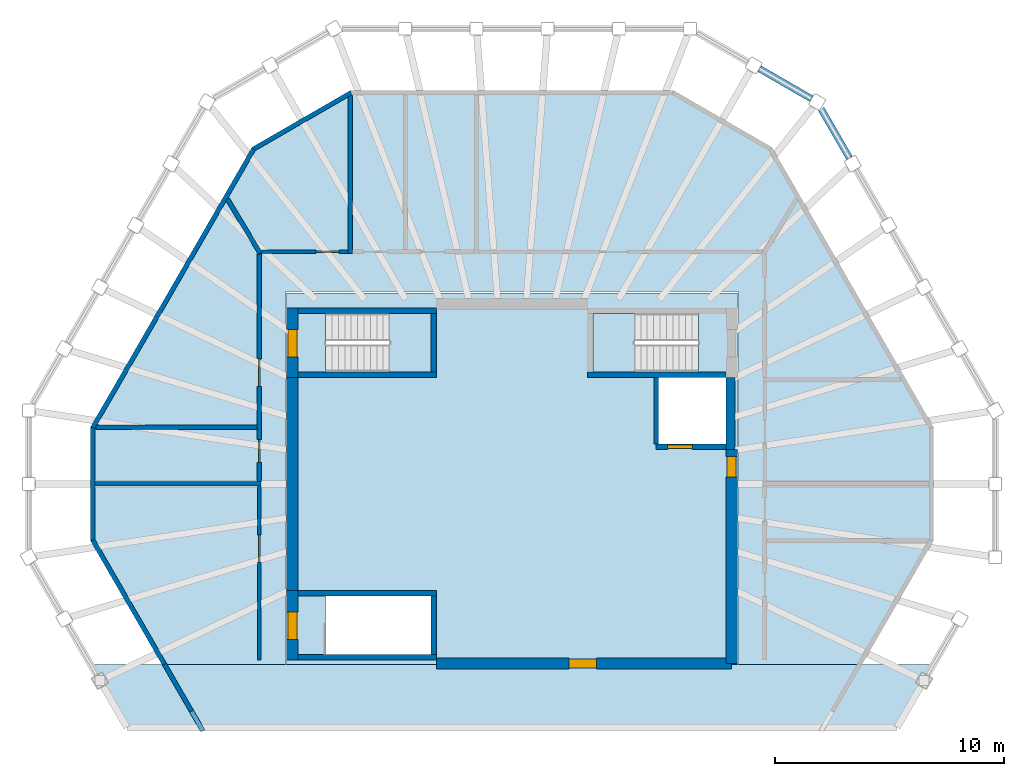
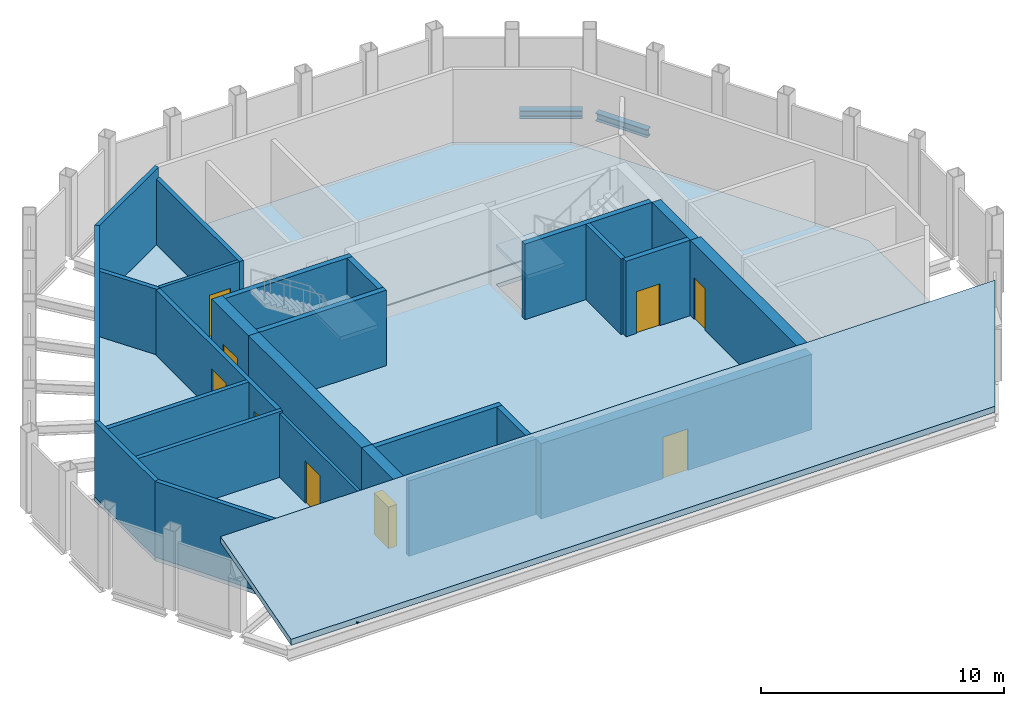
# One storey, part 2 of 4: 27 walls, 9 doors, 5 slabs, 2 beams, 9 openings, 2 elements without a shape of their own.
"""IFC4 building model written with IfcOpenShell, lengths in metres."""

from ifc_helpers import new_model, si_unit, direction, frame, frame_2d, origin, origin_2d, place, context, subcontext, project, spatial, polyline, rectangle, i_section, outline, extrude, material, layer, layer_set, material_profile, profile_set, type_object, element, fill, aggregate, save


model = new_model("IFC4")

# Units and contexts
model_context = context("Model", 3, precision=1e-05, world=origin(), true_north=direction((0.0, 1.0)))
body_context = subcontext(model_context, "Body", "Model", "MODEL_VIEW")
ifc_project = project(units=[si_unit("LENGTHUNIT", "METRE"), si_unit("AREAUNIT", "SQUARE_METRE"), si_unit("VOLUMEUNIT", "CUBIC_METRE"), si_unit("PLANEANGLEUNIT", "RADIAN"), si_unit("MASSUNIT", "GRAM", prefix="KILO")], contexts=[model_context])

# Site, building, storey
site_placement = place(None, origin())
site = spatial("IfcSite", under=ifc_project, at=site_placement, CompositionType="ELEMENT")
building_placement = place(site_placement, origin())
building = spatial("IfcBuilding", under=site, at=building_placement, Name="Frailejon Research Tower", CompositionType="ELEMENT")
storey_placement = place(building_placement, frame((0.0, 0.0, 356.60009765625)))
storey = spatial("IfcBuildingStorey", under=building, at=storey_placement, Name="L80", CompositionType="ELEMENT", Elevation=356.60009765625)

# Beams
ifc_material_1 = material(Name="Steel S355", Category="steel")
ifc_material_profile = material_profile(ifc_material_1, i_section(OverallWidth=0.300048828125, OverallDepth=0.39990234375, WebThickness=0.013427734375, FlangeThickness=0.02392578125, FilletRadius=0.027099609375, at=origin_2d()), Name="HE 400 B")
ifc_profile_set = profile_set([ifc_material_profile], Name="Steel S355")
beam_type = type_object("IfcBeamType", Name="Crown ring beam", PredefinedType="BEAM", material=ifc_profile_set)
beam_1_placement = place(storey_placement, frame((14.747802734375, 14.256103515625, -0.400146484375), z_axis=(-0.500053484023, 0.865994522568, 0.0), x_axis=(-0.865994522568, -0.500053484023, 0.0)))
element("IfcBeam", 1, at=beam_1_placement, inside=storey, type_object=beam_type, Name="Crown ring beam", PredefinedType="BEAM", context=body_context, shape_type="SweptSolid", body=[
    extrude(i_section(OverallWidth=0.300048828125, OverallDepth=0.39990234375, WebThickness=0.013427734375, FlangeThickness=0.02392578125, FilletRadius=0.027099609375, at=origin_2d()), origin(), (0.0, 0.0, 1.0), 2.468505859375),
])
beam_2_placement = place(storey_placement, frame((13.08056640625, 16.843994140625, -0.400146484375), z_axis=(-0.866049872286, 0.499957616916, 0.0), x_axis=(-0.499957616916, -0.866049872286, 0.0)))
element("IfcBeam", 2, at=beam_2_placement, inside=storey, type_object=beam_type, Name="Crown ring beam", PredefinedType="BEAM", context=body_context, shape_type="SweptSolid", body=[
    extrude(i_section(OverallWidth=0.300048828125, OverallDepth=0.39990234375, WebThickness=0.013427734375, FlangeThickness=0.02392578125, FilletRadius=0.027099609375, at=origin_2d()), origin(), (0.0, 0.0, 1.0), 2.606201171875),
])

# Slabs
ifc_material_2 = material(Name="Concrete C50/60", Category="concrete")
ifc_layer_1 = layer(ifc_material_2, 0.199951171875)
ifc_layer_set_1 = layer_set([ifc_layer_1], Name="Core floor slab 200 C50/60")
slab_type_1 = type_object("IfcSlabType", Name="Core floor slab 200 C50/60", PredefinedType="FLOOR", material=ifc_layer_set_1)
slab_1_placement = place(storey_placement, frame((0.0, 0.0, -0.2001953125)))
element("IfcSlab", 3, at=slab_1_placement, inside=storey, type_object=slab_type_1, Name="Core floor slab", PredefinedType="FLOOR", context=body_context, shape_type="SweptSolid", body=[
    extrude(outline(polyline([(-9.85009765625, -8.35009765625), (-9.85009765625, 8.35009765625), (9.85009765625, 8.35009765625), (9.85009765625, -8.35009765625), (-9.85009765625, -8.35009765625)]), holes=[polyline([(9.35009765625, 1.75), (9.35009765625, 4.64990234375), (6.39990234375, 4.64990234375), (6.39990234375, 1.75), (9.35009765625, 1.75)]), polyline([(-8.14697265625, 4.89990234375), (-3.550048828125, 4.89990234375), (-3.550048828125, 7.449951171875), (-8.14697265625, 7.449951171875), (-8.14697265625, 4.89990234375)]), polyline([(-8.14697265625, -7.449951171875), (-3.550048828125, -7.449951171875), (-3.550048828125, -4.89990234375), (-8.14697265625, -4.89990234375), (-8.14697265625, -7.449951171875)]), polyline([(8.14697265625, 7.449951171875), (3.550048828125, 7.449951171875), (3.550048828125, 4.89990234375), (8.14697265625, 4.89990234375), (8.14697265625, 7.449951171875)])]), origin(), (0.0, 0.0, 1.0), 0.2001953125),
])
ifc_material_3 = material(Name="Safety glass roof panel on steel frame", Category="steel")
ifc_layer_2 = layer(ifc_material_3, 0.300048828125)
ifc_layer_set_2 = layer_set([ifc_layer_2], Name="Crown glazed roof facet 300")
slab_type_2 = type_object("IfcSlabType", Name="Crown glazed roof facet 300", PredefinedType="ROOF", material=ifc_layer_set_2)
slab_2_placement = place(storey_placement, frame((-18.42529296875, -7.88671875, 4.0), z_axis=(0.0, -0.809032791818, 0.587763508363), x_axis=(1.0, 0.0, 0.0)))
element("IfcSlab", 4, at=slab_2_placement, inside=storey, type_object=slab_type_2, Name="Crown glazed roof facet 4", PredefinedType="ROOF", context=body_context, shape_type="SweptSolid", body=[
    extrude(outline(polyline([(0.0, 0.0), (36.8505859375, 0.0), (35.172607421875, -4.944175366501661), (1.677978515625, -4.944175366501661), (0.0, 0.0)])), origin(), (0.0, 0.809032791818, 0.587763508363), 0.300048828125),
])
ifc_material_4 = material(Name="Concrete C30/37", Category="concrete")
ifc_layer_3 = layer(ifc_material_4, 0.199951171875)
ifc_layer_set_3 = layer_set([ifc_layer_3], Name="Crown slab 200")
slab_type_3 = type_object("IfcSlabType", Name="Crown slab 200", PredefinedType="FLOOR", material=ifc_layer_set_3)
slab_3_placement = place(storey_placement, frame((0.0, 0.0, -0.2001953125)))
element("IfcSlab", 5, at=slab_3_placement, inside=storey, type_object=slab_type_3, Name="Floor slab L80", PredefinedType="FLOOR", context=body_context, shape_type="SweptSolid", body=[
    extrude(outline(polyline([(-11.36376953125, 14.71728515625), (-18.427490234375, 2.482666015625), (-18.427490234375, -2.482666015625), (-13.92333984375, -10.2841796875), (13.92333984375, -10.2841796875), (18.427490234375, -2.482666015625), (18.427490234375, 2.482666015625), (11.36376953125, 14.71728515625), (7.063720703125, 17.199951171875), (-7.063720703125, 17.199951171875), (-11.36376953125, 14.71728515625)]), holes=[polyline([(9.909912109375, 8.409912109375), (9.909912109375, -8.409912109375), (-9.909912109375, -8.409912109375), (-9.909912109375, 8.409912109375), (9.909912109375, 8.409912109375)])]), origin(), (0.0, 0.0, 1.0), 0.2001953125),
])

# Stair, slab
ifc_material_5 = material(Name="Concrete C50/60", Category="concrete")
stair_type = type_object("IfcStairType", Name="Exit stair 22 risers", PredefinedType="HALF_TURN_STAIR", material=ifc_material_5)
stair_1_placement = place(storey_placement, origin())
stair_1 = element("IfcStair", 6, at=stair_1_placement, inside=storey, type_object=stair_type, Name="L80 Exit stair ST1", PredefinedType="HALF_TURN_STAIR")
ifc_material_6 = material(Name="Concrete C50/60", Category="concrete")
ifc_layer_4 = layer(ifc_material_6, 0.199951171875)
ifc_layer_set_4 = layer_set([ifc_layer_4], Name="Stair landing slab 200")
slab_type_4 = type_object("IfcSlabType", Name="Stair landing slab 200", PredefinedType="LANDING", material=ifc_layer_set_4)
slab_4_placement = place(storey_placement, frame((0.0, 0.0, 1.7998046875)))
slab_4 = element("IfcSlab", 7, at=slab_4_placement, type_object=slab_type_4, Name="ST1 landing 1", PredefinedType="LANDING", context=body_context, shape_type="SweptSolid", body=[
    extrude(outline(polyline([(-5.35009765625, 4.89990234375), (-3.550048828125, 4.89990234375), (-3.550048828125, 7.449951171875), (-5.35009765625, 7.449951171875), (-5.35009765625, 4.89990234375)])), origin(), (0.0, 0.0, 1.0), 0.2001953125),
])
aggregate(stair_1, [slab_4])

stair_2_placement = place(storey_placement, origin())
stair_2 = element("IfcStair", 8, at=stair_2_placement, inside=storey, type_object=stair_type, Name="L80 Exit stair ST3", PredefinedType="HALF_TURN_STAIR")
slab_5_placement = place(storey_placement, frame((0.0, 0.0, 1.7998046875)))
slab_5 = element("IfcSlab", 9, at=slab_5_placement, type_object=slab_type_4, Name="ST3 landing 1", PredefinedType="LANDING", context=body_context, shape_type="SweptSolid", body=[
    extrude(outline(polyline([(5.35009765625, 7.449951171875), (3.550048828125, 7.449951171875), (3.550048828125, 4.89990234375), (5.35009765625, 4.89990234375), (5.35009765625, 7.449951171875)])), origin(), (0.0, 0.0, 1.0), 0.2001953125),
])
aggregate(stair_2, [slab_5])

# Wall
ifc_material_7 = material(Name="Concrete C50/60", Category="concrete")
ifc_layer_5 = layer(ifc_material_7, 0.39990234375)
ifc_layer_set_5 = layer_set([ifc_layer_5], Name="Core shear wall 400 C50/60")
wall_type_1 = type_object("IfcWallType", Name="Core shear wall 400 C50/60", PredefinedType="SHEAR", material=ifc_layer_set_5)
wall_1_placement = place(storey_placement, frame((9.550048828125, 1.5, 0.0), z_axis=(0.0, 0.0, 1.0), x_axis=(0.0, 1.0, 0.0)))
element("IfcWall", 10, at=wall_1_placement, inside=storey, type_object=wall_type_1, Name="Core shear wall", PredefinedType="SHEAR", context=body_context, shape_type="SweptSolid", body=[
    extrude(rectangle(XDim=3.14990234375, YDim=0.39990234375, at=frame_2d((1.574951171875, 0.0))), origin(), (0.0, 0.0, 1.0), 3.7998046875),
])

# Wall, opening, door
ifc_material_8 = material(Name="Concrete C50/60", Category="concrete")
ifc_layer_6 = layer(ifc_material_8, 0.5)
ifc_layer_set_6 = layer_set([ifc_layer_6], Name="Core shear wall 500 C50/60")
wall_type_2 = type_object("IfcWallType", Name="Core shear wall 500 C50/60", PredefinedType="SHEAR", material=ifc_layer_set_6)
wall_2_placement = place(storey_placement, frame((9.60009765625, -7.85009765625, 0.0), z_axis=(0.0, 0.0, 1.0), x_axis=(0.0, 1.0, 0.0)))
wall_2 = element("IfcWall", 11, at=wall_2_placement, inside=storey, type_object=wall_type_2, Name="Core shear wall", PredefinedType="SHEAR", context=body_context, shape_type="SweptSolid", body=[
    extrude(rectangle(XDim=9.35009765625, YDim=0.5, at=frame_2d((4.675048828125, 0.0))), origin(), (0.0, 0.0, 1.0), 3.7998046875),
])
opening_1_placement = place(wall_2_placement, frame((8.14990234375, 0.0, 0.0)))
opening_1 = element("IfcOpeningElement", 12, at=opening_1_placement, cuts=wall_2, Name="Opening D8", PredefinedType="OPENING", context=body_context, shape_type="SweptSolid", body=[
    extrude(rectangle(XDim=0.89990234375, YDim=2.10009765625, at=frame_2d((0.449951171875, 1.050048828125))), frame((0.0, 0.260009765625, 0.0), z_axis=(0.0, -1.0, 0.0), x_axis=(1.0, 0.0, 0.0)), (0.0, 0.0, 1.0), 0.52001953125),
])
ifc_material_9 = material(Name="Steel", Category="steel")
door_type_1 = type_object("IfcDoorType", Name="Core room door", OperationType="SINGLE_SWING_LEFT", PredefinedType="DOOR", material=ifc_material_9)
door_1_placement = place(opening_1_placement, origin())
door_1 = element("IfcDoor", 13, at=door_1_placement, inside=storey, type_object=door_type_1, Name="Lift lobby door", OperationType="SINGLE_SWING_RIGHT", OverallHeight=2.10009765625, OverallWidth=0.89990234375, PredefinedType="DOOR", context=body_context, shape_type="SweptSolid", body=[
    extrude(rectangle(XDim=0.89990234375, YDim=2.10009765625, at=frame_2d((0.449951171875, 1.050048828125))), frame((0.0, 0.199951171875, 0.0), z_axis=(0.0, -1.0, 0.0), x_axis=(1.0, 0.0, 0.0)), (0.0, 0.0, 1.0), 0.39990234375),
])
fill(opening_1, door_1)

# Wall
wall_3_placement = place(storey_placement, frame((-9.60009765625, 4.64990234375, 0.0), z_axis=(0.0, 0.0, 1.0), x_axis=(0.0, -1.0, 0.0)))
element("IfcWall", 14, at=wall_3_placement, inside=storey, type_object=wall_type_2, Name="Core shear wall", PredefinedType="SHEAR", context=body_context, shape_type="SweptSolid", body=[
    extrude(rectangle(XDim=9.2998046875, YDim=0.5, at=frame_2d((4.64990234375, 0.0))), origin(), (0.0, 0.0, 1.0), 3.7998046875),
])

# Wall, opening, door
wall_4_placement = place(storey_placement, frame((-3.300048828125, -7.85009765625, 0.0), z_axis=(0.0, 0.0, 1.0), x_axis=(1.0, 0.0, 0.0)))
wall_4 = element("IfcWall", 15, at=wall_4_placement, inside=storey, type_object=wall_type_2, Name="Core shear wall", PredefinedType="SHEAR", context=body_context, shape_type="SweptSolid", body=[
    extrude(rectangle(XDim=12.900146484375, YDim=0.5, at=frame_2d((6.4501953125, 0.0))), origin(), (0.0, 0.0, 1.0), 3.7998046875),
])
opening_2_placement = place(wall_4_placement, frame((5.800048828125, 0.0, 0.0)))
opening_2 = element("IfcOpeningElement", 16, at=opening_2_placement, cuts=wall_4, Name="Opening D6", PredefinedType="OPENING", context=body_context, shape_type="SweptSolid", body=[
    extrude(rectangle(XDim=1.199951171875, YDim=2.10009765625, at=frame_2d((0.60009765625, 1.050048828125))), frame((0.0, 0.260009765625, 0.0), z_axis=(0.0, -1.0, 0.0), x_axis=(1.0, 0.0, 0.0)), (0.0, 0.0, 1.0), 0.52001953125),
])
ifc_material_10 = material(Name="Steel", Category="steel")
door_type_2 = type_object("IfcDoorType", Name="Plant door", OperationType="SINGLE_SWING_LEFT", PredefinedType="DOOR", material=ifc_material_10)
door_2_placement = place(opening_2_placement, origin())
door_2 = element("IfcDoor", 17, at=door_2_placement, inside=storey, type_object=door_type_2, Name="Room door", OperationType="SINGLE_SWING_LEFT", OverallHeight=2.10009765625, OverallWidth=1.199951171875, PredefinedType="DOOR", context=body_context, shape_type="SweptSolid", body=[
    extrude(rectangle(XDim=1.199951171875, YDim=2.10009765625, at=frame_2d((0.60009765625, 1.050048828125))), frame((0.0, 0.199951171875, 0.0), z_axis=(0.0, -1.0, 0.0), x_axis=(1.0, 0.0, 0.0)), (0.0, 0.0, 1.0), 0.39990234375),
])
fill(opening_2, door_2)

wall_5_placement = place(storey_placement, frame((-9.60009765625, 4.64990234375, 0.0), z_axis=(0.0, 0.0, 1.0), x_axis=(0.0, 1.0, 0.0)))
wall_5 = element("IfcWall", 18, at=wall_5_placement, inside=storey, type_object=wall_type_2, Name="Core shear wall", PredefinedType="SHEAR", context=body_context, shape_type="SweptSolid", body=[
    extrude(rectangle(XDim=3.050048828125, YDim=0.5, at=frame_2d((1.52490234375, 0.0))), origin(), (0.0, 0.0, 1.0), 3.7998046875),
])
opening_3_placement = place(wall_5_placement, frame((0.89990234375, 0.0, 0.0)))
opening_3 = element("IfcOpeningElement", 19, at=opening_3_placement, cuts=wall_5, Name="Opening D7", PredefinedType="OPENING", context=body_context, shape_type="SweptSolid", body=[
    extrude(rectangle(XDim=1.199951171875, YDim=2.10009765625, at=frame_2d((0.60009765625, 1.050048828125))), frame((0.0, 0.260009765625, 0.0), z_axis=(0.0, -1.0, 0.0), x_axis=(1.0, 0.0, 0.0)), (0.0, 0.0, 1.0), 0.52001953125),
])
ifc_material_11 = material(Name="Steel", Category="steel")
door_type_3 = type_object("IfcDoorType", Name="Stair exit door", OperationType="SINGLE_SWING_LEFT", PredefinedType="DOOR", material=ifc_material_11)
door_3_placement = place(opening_3_placement, origin())
door_3 = element("IfcDoor", 20, at=door_3_placement, inside=storey, type_object=door_type_3, Name="Stair door ST1", OperationType="SINGLE_SWING_RIGHT", OverallHeight=2.10009765625, OverallWidth=1.199951171875, PredefinedType="DOOR", context=body_context, shape_type="SweptSolid", body=[
    extrude(rectangle(XDim=1.199951171875, YDim=2.10009765625, at=frame_2d((0.60009765625, 1.050048828125))), frame((0.0, 0.199951171875, 0.0), z_axis=(0.0, -1.0, 0.0), x_axis=(1.0, 0.0, 0.0)), (0.0, 0.0, 1.0), 0.39990234375),
])
fill(opening_3, door_3)

wall_6_placement = place(storey_placement, frame((-9.60009765625, -7.699951171875, 0.0), z_axis=(0.0, 0.0, 1.0), x_axis=(0.0, 1.0, 0.0)))
wall_6 = element("IfcWall", 21, at=wall_6_placement, inside=storey, type_object=wall_type_2, Name="Core shear wall", PredefinedType="SHEAR", context=body_context, shape_type="SweptSolid", body=[
    extrude(rectangle(XDim=3.050048828125, YDim=0.5, at=frame_2d((1.52490234375, 0.0))), origin(), (0.0, 0.0, 1.0), 3.7998046875),
])
opening_4_placement = place(wall_6_placement, frame((0.89990234375, 0.0, 0.0)))
opening_4 = element("IfcOpeningElement", 22, at=opening_4_placement, cuts=wall_6, Name="Opening D7", PredefinedType="OPENING", context=body_context, shape_type="SweptSolid", body=[
    extrude(rectangle(XDim=1.199951171875, YDim=2.10009765625, at=frame_2d((0.60009765625, 1.050048828125))), frame((0.0, 0.260009765625, 0.0), z_axis=(0.0, -1.0, 0.0), x_axis=(1.0, 0.0, 0.0)), (0.0, 0.0, 1.0), 0.52001953125),
])
door_4_placement = place(opening_4_placement, origin())
door_4 = element("IfcDoor", 23, at=door_4_placement, inside=storey, type_object=door_type_3, Name="Stair door ST2", OperationType="SINGLE_SWING_LEFT", OverallHeight=2.10009765625, OverallWidth=1.199951171875, PredefinedType="DOOR", context=body_context, shape_type="SweptSolid", body=[
    extrude(rectangle(XDim=1.199951171875, YDim=2.10009765625, at=frame_2d((0.60009765625, 1.050048828125))), frame((0.0, 0.199951171875, 0.0), z_axis=(0.0, -1.0, 0.0), x_axis=(1.0, 0.0, 0.0)), (0.0, 0.0, 1.0), 0.39990234375),
])
fill(opening_4, door_4)

ifc_material_12 = material(Name="Gypsum board and masonry partition", Category="masonry")
ifc_layer_7 = layer(ifc_material_12, 0.14990234375)
ifc_layer_set_7 = layer_set([ifc_layer_7], Name="Corridor wall EI 60, gypsum on steel studs 150")
wall_type_3 = type_object("IfcWallType", Name="Corridor wall EI 60, gypsum on steel studs 150", PredefinedType="PARTITIONING", material=ifc_layer_set_7)
wall_7_placement = place(storey_placement, frame((-10.949951171875, 10.14990234375, 0.0), z_axis=(0.0, 0.0, 1.0), x_axis=(1.0, 0.0, 0.0)))
wall_7 = element("IfcWall", 24, at=wall_7_placement, inside=storey, type_object=wall_type_3, Name="T:IW:L80:002", PredefinedType="PARTITIONING", context=body_context, shape_type="SweptSolid", body=[
    extrude(rectangle(XDim=3.7861328125, YDim=0.14990234375, at=frame_2d((1.89306640625, 0.0))), origin(), (0.0, 0.0, 1.0), 3.2998046875),
])
opening_5_placement = place(wall_7_placement, frame((2.378662109375, 0.0, 0.0)))
opening_5 = element("IfcOpeningElement", 25, at=opening_5_placement, cuts=wall_7, Name="Opening D1197", PredefinedType="OPENING", context=body_context, shape_type="SweptSolid", body=[
    extrude(rectangle(XDim=1.0, YDim=2.10009765625, at=frame_2d((0.5, 1.050048828125))), frame((0.0, 0.0849609375, 0.0), z_axis=(0.0, -1.0, 0.0), x_axis=(1.0, 0.0, 0.0)), (0.0, 0.0, 1.0), 0.169921875),
])
ifc_material_13 = material(Name="Timber door leaf", Category="wood")
door_type_4 = type_object("IfcDoorType", Name="Door single leaf, timber, steel frame 1000", OperationType="NOTDEFINED", PredefinedType="DOOR", material=ifc_material_13)
door_5_placement = place(opening_5_placement, origin())
door_5 = element("IfcDoor", 26, at=door_5_placement, inside=storey, type_object=door_type_4, Name="D1197", OperationType="SINGLE_SWING_RIGHT", OverallHeight=2.10009765625, OverallWidth=1.0, PredefinedType="DOOR", context=body_context, shape_type="SweptSolid", body=[
    extrude(rectangle(XDim=1.0, YDim=2.10009765625, at=frame_2d((0.5, 1.050048828125))), frame((0.0, 0.02490234375, 0.0), z_axis=(0.0, -1.0, 0.0), x_axis=(1.0, 0.0, 0.0)), (0.0, 0.0, 1.0), 0.050048828125),
])
fill(opening_5, door_5)

wall_8_placement = place(storey_placement, frame((-11.050048828125, -7.6865234375, 0.0), z_axis=(0.0, 0.0, 1.0), x_axis=(0.0, 1.0, 0.0)))
wall_8 = element("IfcWall", 27, at=wall_8_placement, inside=storey, type_object=wall_type_3, Name="T:IW:L80:004", PredefinedType="PARTITIONING", context=body_context, shape_type="SweptSolid", body=[
    extrude(rectangle(XDim=7.58642578125, YDim=0.14990234375, at=frame_2d((3.793212890625, 0.0))), origin(), (0.0, 0.0, 1.0), 3.199951171875),
])
opening_6_placement = place(wall_8_placement, frame((4.263671875, 0.0, 0.0)))
opening_6 = element("IfcOpeningElement", 28, at=opening_6_placement, cuts=wall_8, Name="Opening D1200", PredefinedType="OPENING", context=body_context, shape_type="SweptSolid", body=[
    extrude(rectangle(XDim=1.199951171875, YDim=2.10009765625, at=frame_2d((0.60009765625, 1.050048828125))), frame((0.0, 0.0849609375, 0.0), z_axis=(0.0, -1.0, 0.0), x_axis=(1.0, 0.0, 0.0)), (0.0, 0.0, 1.0), 0.169921875),
])
ifc_material_14 = material(Name="Timber door leaf", Category="wood")
door_type_5 = type_object("IfcDoorType", Name="Door single leaf, timber, steel frame 1200", OperationType="NOTDEFINED", PredefinedType="DOOR", material=ifc_material_14)
door_6_placement = place(opening_6_placement, origin())
door_6 = element("IfcDoor", 29, at=door_6_placement, inside=storey, type_object=door_type_5, Name="D1200", OperationType="DOUBLE_DOOR_SINGLE_SWING", OverallHeight=2.10009765625, OverallWidth=1.199951171875, PredefinedType="DOOR", context=body_context, shape_type="SweptSolid", body=[
    extrude(rectangle(XDim=1.199951171875, YDim=2.10009765625, at=frame_2d((0.60009765625, 1.050048828125))), frame((0.0, 0.02490234375, 0.0), z_axis=(0.0, -1.0, 0.0), x_axis=(1.0, 0.0, 0.0)), (0.0, 0.0, 1.0), 0.050048828125),
])
fill(opening_6, door_6)

# Walls
ifc_material_15 = material(Name="Aluminium louvre cladding panel", Category="aluminium")
ifc_layer_8 = layer(ifc_material_15, 0.199951171875)
ifc_layer_set_8 = layer_set([ifc_layer_8], Name="Crown louvred wall 200")
wall_type_4 = type_object("IfcWallType", Name="Crown louvred wall 200", PredefinedType="SOLIDWALL", material=ifc_layer_set_8)
wall_9_placement = place(storey_placement, frame((-7.037109375, 17.10009765625, 0.0), z_axis=(0.0, 0.0, 1.0), x_axis=(-0.86601671623, -0.500015046984, 0.0)))
element("IfcWall", 30, at=wall_9_placement, inside=storey, type_object=wall_type_4, Name="Crown louvred wall L80", PredefinedType="SOLIDWALL", context=body_context, shape_type="SweptSolid", body=[
    extrude(outline(polyline([(-0.02685546875, -0.10009765625), (4.938232421875, -0.10009765625), (4.884521484375, 0.10009765625), (0.02685546875, 0.10009765625), (-0.02685546875, -0.10009765625)])), origin(), (0.0, 0.0, 1.0), 3.7998046875),
])
wall_10_placement = place(storey_placement, frame((-11.29052734375, 14.644287109375, 0.0), z_axis=(0.0, 0.0, 1.0), x_axis=(-0.499991740577, -0.866030172312, 0.0)))
element("IfcWall", 31, at=wall_10_placement, inside=storey, type_object=wall_type_4, Name="Crown louvred wall L80", PredefinedType="SOLIDWALL", context=body_context, shape_type="SweptSolid", body=[
    extrude(outline(polyline([(-0.02685546875, -0.10009765625), (14.100830078125, -0.10009765625), (14.047119140625, 0.10009765625), (0.02685546875, 0.10009765625), (-0.02685546875, -0.10009765625)])), origin(), (0.0, 0.0, 1.0), 3.7998046875),
])
wall_11_placement = place(storey_placement, frame((-18.327392578125, 2.455810546875, 0.0), z_axis=(0.0, 0.0, 1.0), x_axis=(0.0, -1.0, 0.0)))
element("IfcWall", 32, at=wall_11_placement, inside=storey, type_object=wall_type_4, Name="Crown louvred wall L80", PredefinedType="SOLIDWALL", context=body_context, shape_type="SweptSolid", body=[
    extrude(outline(polyline([(-0.02685546875, -0.10009765625), (4.9384765625, -0.10009765625), (4.884765625, 0.10009765625), (0.02685546875, 0.10009765625), (-0.02685546875, -0.10009765625)])), origin(), (0.0, 0.0, 1.0), 3.7998046875),
])
wall_12_placement = place(storey_placement, frame((-18.327392578125, -2.455810546875, 0.0), z_axis=(0.0, 0.0, 1.0), x_axis=(0.499995423472, -0.866028046028, 0.0)))
element("IfcWall", 33, at=wall_12_placement, inside=storey, type_object=wall_type_4, Name="Crown louvred wall L80", PredefinedType="SOLIDWALL", context=body_context, shape_type="SweptSolid", body=[
    extrude(outline(polyline([(-0.02685546875, -0.10009765625), (6.27099609375, -0.10009765625), (6.27099609375, 0.10009765625), (0.02685546875, 0.10009765625), (-0.02685546875, -0.10009765625)])), origin(), (0.0, 0.0, 1.0), 3.7998046875),
])
wall_13_placement = place(storey_placement, frame((-15.19189453125, -7.88671875, 0.0), z_axis=(0.0, 0.0, 1.0), x_axis=(0.499989072476, -0.866031712701, 0.0)))
element("IfcWall", 34, at=wall_13_placement, inside=storey, type_object=wall_type_4, Name="Crown louvred wall L80", PredefinedType="SOLIDWALL", context=body_context, shape_type="SweptSolid", body=[
    extrude(outline(polyline([(0.0, 0.0), (3.35546875, 0.0), (3.355712890625, 0.02978515625), (0.0, 4.0), (0.0, 0.0)])), frame((0.0, 0.10009765625, 0.0), z_axis=(0.0, -1.0, 0.0), x_axis=(1.0, 0.0, 0.0)), (0.0, 0.0, 1.0), 0.199951171875),
])

# Wall, openings, doors
ifc_material_16 = material(Name="Gypsum board and masonry partition", Category="masonry")
ifc_layer_9 = layer(ifc_material_16, 0.199951171875)
ifc_layer_set_9 = layer_set([ifc_layer_9], Name="Plant enclosure wall, blockwork 200")
wall_type_5 = type_object("IfcWallType", Name="Plant enclosure wall, blockwork 200", PredefinedType="PARTITIONING", material=ifc_layer_set_9)
wall_14_placement = place(storey_placement, frame((-11.050048828125, 0.10009765625, 0.0), z_axis=(0.0, 0.0, 1.0), x_axis=(0.0, 1.0, 0.0)))
wall_14 = element("IfcWall", 35, at=wall_14_placement, inside=storey, type_object=wall_type_5, Name="T:IW:L80:008", PredefinedType="PARTITIONING", context=body_context, shape_type="SweptSolid", body=[
    extrude(rectangle(XDim=9.949951171875, YDim=0.199951171875, at=frame_2d((4.97509765625, 0.0))), origin(), (0.0, 0.0, 1.0), 3.2998046875),
])
opening_7_placement = place(wall_14_placement, frame((4.1669921875, 0.0, 0.0)))
opening_7 = element("IfcOpeningElement", 36, at=opening_7_placement, cuts=wall_14, Name="Opening D1198", PredefinedType="OPENING", context=body_context, shape_type="SweptSolid", body=[
    extrude(rectangle(XDim=1.199951171875, YDim=2.10009765625, at=frame_2d((0.60009765625, 1.050048828125))), frame((0.0, 0.10986328125, 0.0), z_axis=(0.0, -1.0, 0.0), x_axis=(1.0, 0.0, 0.0)), (0.0, 0.0, 1.0), 0.219970703125),
])
opening_8_placement = place(wall_14_placement, frame((0.8369140625, 0.0, 0.0)))
opening_8 = element("IfcOpeningElement", 37, at=opening_8_placement, cuts=wall_14, Name="Opening D1199", PredefinedType="OPENING", context=body_context, shape_type="SweptSolid", body=[
    extrude(rectangle(XDim=1.0, YDim=2.10009765625, at=frame_2d((0.5, 1.050048828125))), frame((0.0, 0.10986328125, 0.0), z_axis=(0.0, -1.0, 0.0), x_axis=(1.0, 0.0, 0.0)), (0.0, 0.0, 1.0), 0.219970703125),
])
ifc_material_17 = material(Name="Steel door leaf", Category="steel")
door_type_6 = type_object("IfcDoorType", Name="Door plant room, steel 1000", OperationType="NOTDEFINED", PredefinedType="DOOR", material=ifc_material_17)
door_7_placement = place(opening_8_placement, origin())
door_7 = element("IfcDoor", 38, at=door_7_placement, inside=storey, type_object=door_type_6, Name="D1199", OperationType="SINGLE_SWING_LEFT", OverallHeight=2.10009765625, OverallWidth=1.0, PredefinedType="DOOR", context=body_context, shape_type="SweptSolid", body=[
    extrude(rectangle(XDim=1.0, YDim=2.10009765625, at=frame_2d((0.5, 1.050048828125))), frame((0.0, 0.02490234375, 0.0), z_axis=(0.0, -1.0, 0.0), x_axis=(1.0, 0.0, 0.0)), (0.0, 0.0, 1.0), 0.050048828125),
])
fill(opening_8, door_7)
ifc_material_18 = material(Name="Steel door leaf", Category="steel")
door_type_7 = type_object("IfcDoorType", Name="Door plant room, steel 1200", OperationType="NOTDEFINED", PredefinedType="DOOR", material=ifc_material_18)
door_8_placement = place(opening_7_placement, origin())
door_8 = element("IfcDoor", 39, at=door_8_placement, inside=storey, type_object=door_type_7, Name="D1198", OperationType="DOUBLE_DOOR_SINGLE_SWING", OverallHeight=2.10009765625, OverallWidth=1.199951171875, PredefinedType="DOOR", context=body_context, shape_type="SweptSolid", body=[
    extrude(rectangle(XDim=1.199951171875, YDim=2.10009765625, at=frame_2d((0.60009765625, 1.050048828125))), frame((0.0, 0.02490234375, 0.0), z_axis=(0.0, -1.0, 0.0), x_axis=(1.0, 0.0, 0.0)), (0.0, 0.0, 1.0), 0.050048828125),
])
fill(opening_7, door_8)

# Walls
wall_15_placement = place(storey_placement, frame((-18.2275390625, 0.0, 0.0), z_axis=(0.0, 0.0, 1.0), x_axis=(1.0, 0.0, 0.0)))
element("IfcWall", 40, at=wall_15_placement, inside=storey, type_object=wall_type_5, Name="T:IW:L80:010", PredefinedType="PARTITIONING", context=body_context, shape_type="SweptSolid", body=[
    extrude(rectangle(XDim=7.25244140625, YDim=0.199951171875, at=frame_2d((3.626220703125, 0.0))), origin(), (0.0, 0.0, 1.0), 3.2998046875),
])
wall_16_placement = place(storey_placement, frame((-7.063720703125, 10.074951171875, 0.0), z_axis=(0.0, 0.0, 1.0), x_axis=(0.0, 1.0, 0.0)))
element("IfcWall", 41, at=wall_16_placement, inside=storey, type_object=wall_type_5, Name="T:IW:L80:015", PredefinedType="PARTITIONING", context=body_context, shape_type="SweptSolid", body=[
    extrude(rectangle(XDim=6.89404296875, YDim=0.199951171875, at=frame_2d((3.447021484375, 0.0))), origin(), (0.0, 0.0, 1.0), 3.2998046875),
])
wall_17_placement = place(storey_placement, frame((-12.44140625, 12.450927734375, 0.0), z_axis=(0.0, 0.0, 1.0), x_axis=(0.517428364129, -0.855726526406, 0.0)))
element("IfcWall", 42, at=wall_17_placement, inside=storey, type_object=wall_type_5, Name="T:IW:L80:016", PredefinedType="PARTITIONING", context=body_context, shape_type="SweptSolid", body=[
    extrude(rectangle(XDim=2.763916015625, YDim=0.199951171875, at=frame_2d((1.3818359375, 0.0))), origin(), (0.0, 0.0, 1.0), 3.2998046875),
])
wall_18_placement = place(storey_placement, frame((-18.196533203125, 2.482666015625, 0.0), z_axis=(0.0, 0.0, 1.0), x_axis=(1.0, 0.0, 0.0)))
element("IfcWall", 43, at=wall_18_placement, inside=storey, type_object=wall_type_5, Name="T:IW:L80:017", PredefinedType="PARTITIONING", context=body_context, shape_type="SweptSolid", body=[
    extrude(rectangle(XDim=7.046630859375, YDim=0.199951171875, at=frame_2d((3.5234375, 0.0))), origin(), (0.0, 0.0, 1.0), 3.2998046875),
])
ifc_material_19 = material(Name="Concrete C50/60", Category="concrete")
ifc_layer_10 = layer(ifc_material_19, 0.199951171875)
ifc_layer_set_10 = layer_set([ifc_layer_10], Name="Shaft wall 200 C50/60")
wall_type_6 = type_object("IfcWallType", Name="Shaft wall 200 C50/60", PredefinedType="SOLIDWALL", material=ifc_layer_set_10)
wall_19_placement = place(storey_placement, frame((6.300048828125, 1.75, 0.0), z_axis=(0.0, 0.0, 1.0), x_axis=(0.0, 1.0, 0.0)))
element("IfcWall", 44, at=wall_19_placement, inside=storey, type_object=wall_type_6, Name="Shaft wall", PredefinedType="SOLIDWALL", context=body_context, shape_type="SweptSolid", body=[
    extrude(rectangle(XDim=2.89990234375, YDim=0.199951171875, at=frame_2d((1.449951171875, 0.0))), origin(), (0.0, 0.0, 1.0), 3.7998046875),
])
ifc_material_20 = material(Name="Concrete C50/60", Category="concrete")
ifc_layer_11 = layer(ifc_material_20, 0.25)
ifc_layer_set_11 = layer_set([ifc_layer_11], Name="Shaft wall 250 C50/60")
wall_type_7 = type_object("IfcWallType", Name="Shaft wall 250 C50/60", PredefinedType="SOLIDWALL", material=ifc_layer_set_11)
wall_20_placement = place(storey_placement, frame((-3.425048828125, 4.89990234375, 0.0), z_axis=(0.0, 0.0, 1.0), x_axis=(0.0, 1.0, 0.0)))
element("IfcWall", 45, at=wall_20_placement, inside=storey, type_object=wall_type_7, Name="Shaft wall", PredefinedType="SOLIDWALL", context=body_context, shape_type="SweptSolid", body=[
    extrude(rectangle(XDim=2.550048828125, YDim=0.25, at=frame_2d((1.27490234375, 0.0))), origin(), (0.0, 0.0, 1.0), 3.7998046875),
])
for number, where, z_axis, x_axis, name in (
    (46, (-9.35009765625, 4.77490234375, 0.0), (0.0, 0.0, 1.0), (1.0, 0.0, 0.0), "Shaft wall"),
    (47, (-9.35009765625, 7.574951171875, 0.0), (0.0, 0.0, 1.0), (1.0, 0.0, 0.0), "Shaft wall"),
):
    element("IfcWall", number, at=place(storey_placement, frame(where, z_axis=z_axis, x_axis=x_axis)), inside=storey, type_object=wall_type_7, Name=name, PredefinedType="SOLIDWALL", context=body_context, shape_type="SweptSolid", body=[
        extrude(rectangle(XDim=6.050048828125, YDim=0.25, at=frame_2d((3.02490234375, 0.0))), origin(), (0.0, 0.0, 1.0), 3.7998046875),
    ])
wall_21_placement = place(storey_placement, frame((-3.425048828125, -7.449951171875, 0.0), z_axis=(0.0, 0.0, 1.0), x_axis=(0.0, 1.0, 0.0)))
element("IfcWall", 48, at=wall_21_placement, inside=storey, type_object=wall_type_7, Name="Shaft wall", PredefinedType="SOLIDWALL", context=body_context, shape_type="SweptSolid", body=[
    extrude(rectangle(XDim=2.550048828125, YDim=0.25, at=frame_2d((1.27490234375, 0.0))), origin(), (0.0, 0.0, 1.0), 3.7998046875),
])
for number, where, z_axis, x_axis, name in (
    (49, (-9.35009765625, -7.574951171875, 0.0), (0.0, 0.0, 1.0), (1.0, 0.0, 0.0), "Shaft wall"),
    (50, (-9.35009765625, -4.77490234375, 0.0), (0.0, 0.0, 1.0), (1.0, 0.0, 0.0), "Shaft wall"),
    (51, (3.300048828125, 4.77490234375, 0.0), (0.0, 0.0, 1.0), (1.0, 0.0, 0.0), "Shaft wall"),
):
    element("IfcWall", number, at=place(storey_placement, frame(where, z_axis=z_axis, x_axis=x_axis)), inside=storey, type_object=wall_type_7, Name=name, PredefinedType="SOLIDWALL", context=body_context, shape_type="SweptSolid", body=[
        extrude(rectangle(XDim=6.050048828125, YDim=0.25, at=frame_2d((3.02490234375, 0.0))), origin(), (0.0, 0.0, 1.0), 3.7998046875),
    ])

# Wall, opening, door
wall_22_placement = place(storey_placement, frame((6.300048828125, 1.625, 0.0), z_axis=(0.0, 0.0, 1.0), x_axis=(1.0, 0.0, 0.0)))
wall_22 = element("IfcWall", 52, at=wall_22_placement, inside=storey, type_object=wall_type_7, Name="Shaft wall", PredefinedType="SOLIDWALL", context=body_context, shape_type="SweptSolid", body=[
    extrude(rectangle(XDim=3.050048828125, YDim=0.25, at=frame_2d((1.52490234375, 0.0))), origin(), (0.0, 0.0, 1.0), 3.7998046875),
])
opening_9_placement = place(wall_22_placement, frame((0.5, 0.0, 0.0)))
opening_9 = element("IfcOpeningElement", 53, at=opening_9_placement, cuts=wall_22, Name="Opening LD", PredefinedType="OPENING", context=body_context, shape_type="SweptSolid", body=[
    extrude(rectangle(XDim=1.10009765625, YDim=2.10009765625, at=frame_2d((0.550048828125, 1.050048828125))), frame((0.0, 0.135009765625, 0.0), z_axis=(0.0, -1.0, 0.0), x_axis=(1.0, 0.0, 0.0)), (0.0, 0.0, 1.0), 0.27001953125),
])
ifc_material_21 = material(Name="Steel", Category="steel")
door_type_8 = type_object("IfcDoorType", Name="Lift landing door", OperationType="DOUBLE_DOOR_SLIDING", PredefinedType="DOOR", material=ifc_material_21)
door_9_placement = place(opening_9_placement, origin())
door_9 = element("IfcDoor", 54, at=door_9_placement, inside=storey, type_object=door_type_8, Name="Lift landing door", OperationType="DOUBLE_DOOR_SLIDING", OverallHeight=2.10009765625, OverallWidth=1.10009765625, PredefinedType="DOOR", context=body_context, shape_type="SweptSolid", body=[
    extrude(rectangle(XDim=1.10009765625, YDim=2.10009765625, at=frame_2d((0.550048828125, 1.050048828125))), frame((0.0, 0.074951171875, 0.0), z_axis=(0.0, -1.0, 0.0), x_axis=(1.0, 0.0, 0.0)), (0.0, 0.0, 1.0), 0.14990234375),
])
fill(opening_9, door_9)

save(model, "model.ifc")
